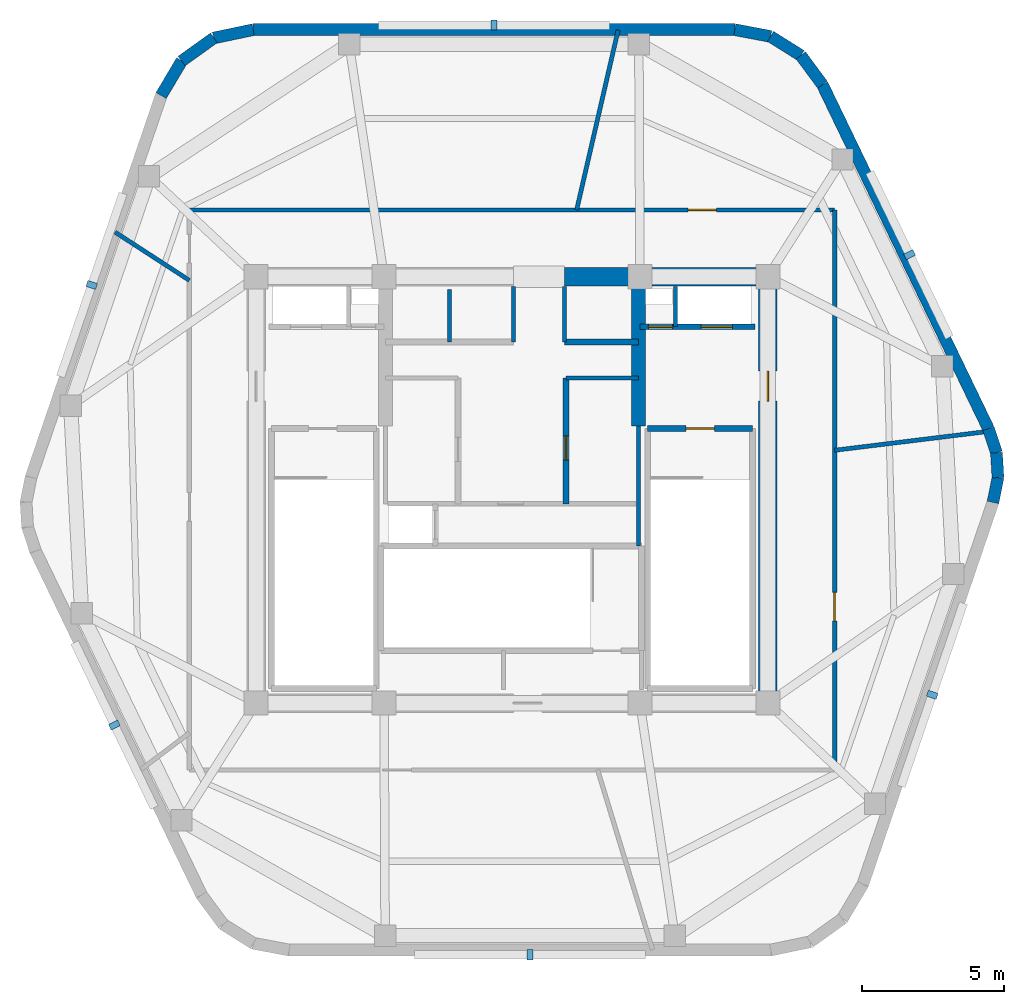
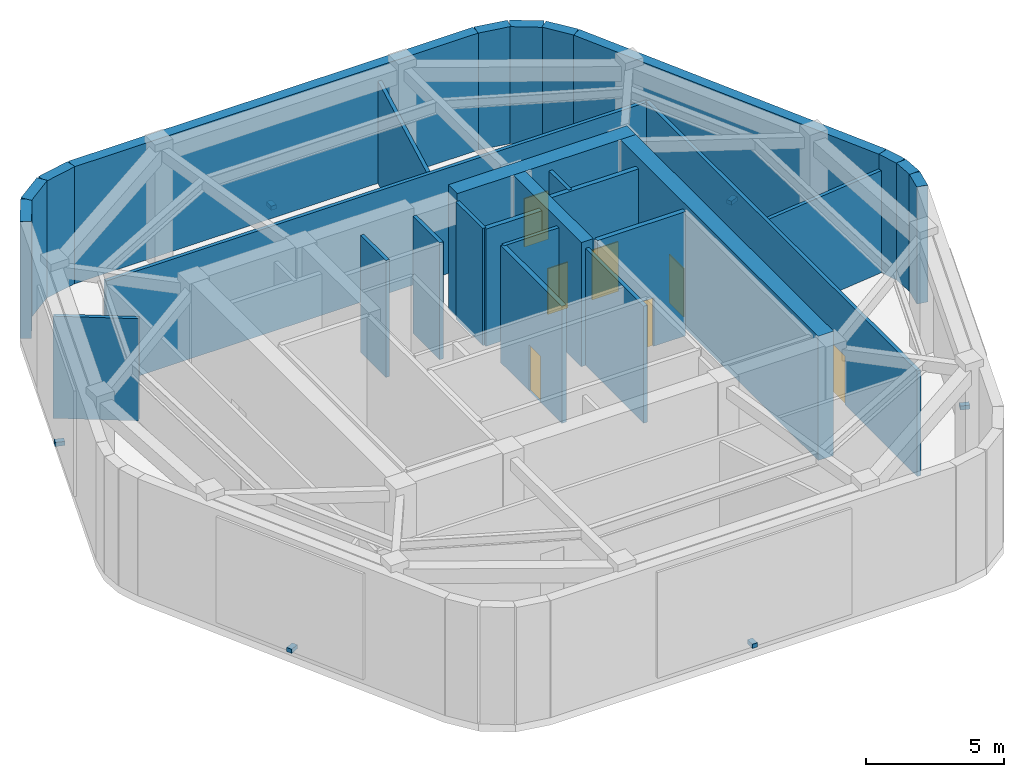
# One storey, part 3 of 4: 29 walls, 7 doors, 6 discrete accessories, 7 openings.
"""IFC4 building model written with IfcOpenShell, lengths in metres."""

from ifc_helpers import new_model, si_unit, direction, frame, frame_2d, origin, origin_2d, place, context, subcontext, project, spatial, rectangle, extrude, material, layer, layer_set, type_object, element, fill, save


model = new_model("IFC4")

# Units and contexts
model_context = context("Model", 3, precision=1e-05, world=origin(), true_north=direction((0.0, 1.0)))
body_context = subcontext(model_context, "Body", "Model", "MODEL_VIEW")
ifc_project = project(units=[si_unit("LENGTHUNIT", "METRE"), si_unit("AREAUNIT", "SQUARE_METRE"), si_unit("VOLUMEUNIT", "CUBIC_METRE"), si_unit("PLANEANGLEUNIT", "RADIAN"), si_unit("MASSUNIT", "GRAM", prefix="KILO")], contexts=[model_context])

# Site, building, storey
site_placement = place(None, origin())
site = spatial("IfcSite", under=ifc_project, at=site_placement, CompositionType="ELEMENT")
building_placement = place(site_placement, origin())
building = spatial("IfcBuilding", under=site, at=building_placement, Name="Kilnhurst Terrace Hotel", CompositionType="ELEMENT")
storey_placement = place(building_placement, frame((0.0, 0.0, 315.89990234375)))
storey = spatial("IfcBuildingStorey", under=building, at=storey_placement, Name="L78", CompositionType="ELEMENT", Elevation=315.89990234375)

# Wall, opening, door
ifc_material_1 = material(Name="Acoustic Double-Gypsum Corridor Partition Assembly")
ifc_layer_1 = layer(ifc_material_1, 0.14990234375, Name="Acoustic Double-Gypsum Corridor Partition Assembly")
ifc_layer_set_1 = layer_set([ifc_layer_1], Name="Acoustic Double-Gypsum Corridor Partition Assembly")
wall_type_1 = type_object("IfcWallType", Name="WL-COR-150", PredefinedType="PARTITIONING", material=ifc_layer_set_1)
wall_1_placement = place(storey_placement, frame((-11.35009765625, 9.85009765625, 0.0), z_axis=(0.0, 0.0, 1.0), x_axis=(1.0, 0.0, 0.0)))
wall_1 = element("IfcWall", 1, at=wall_1_placement, inside=storey, type_object=wall_type_1, Name="L78 Interior Wall WL-L78-COR-02", PredefinedType="PARTITIONING", context=body_context, shape_type="SweptSolid", body=[
    extrude(rectangle(XDim=22.7001953125, YDim=0.14990234375, at=frame_2d((11.35009765625, 0.0))), origin(), (0.0, 0.0, 1.0), 4.670166015625),
])
opening_1_placement = place(wall_1_placement, frame((17.5419921875, 0.0, 0.0)))
opening_1 = element("IfcOpeningElement", 2, at=opening_1_placement, cuts=wall_1, Name="Opening D-90B", PredefinedType="OPENING", context=body_context, shape_type="SweptSolid", body=[
    extrude(rectangle(XDim=1.0, YDim=2.14990234375, at=frame_2d((0.5, 1.074951171875))), frame((0.0, 0.0849609375, 0.0), z_axis=(0.0, -1.0, 0.0), x_axis=(1.0, 0.0, 0.0)), (0.0, 0.0, 1.0), 0.169921875),
])
ifc_material_2 = material(Name="Painted Hollow Metal Steel ASTM A36 Fire Door", Category="steel")
door_type_1 = type_object("IfcDoorType", Name="DR-FD90-1000", OperationType="NOTDEFINED", PredefinedType="DOOR", material=ifc_material_2)
door_1_placement = place(opening_1_placement, origin())
door_1 = element("IfcDoor", 3, at=door_1_placement, inside=storey, type_object=door_type_1, Name="L78 Chiller and Cooling Heat Exchanger Plant Room Door", OperationType="SINGLE_SWING_LEFT", OverallHeight=2.14990234375, OverallWidth=1.0, PredefinedType="DOOR", context=body_context, shape_type="SweptSolid", body=[
    extrude(rectangle(XDim=1.0, YDim=2.14990234375, at=frame_2d((0.5, 1.074951171875))), frame((0.0, 0.02490234375, 0.0), z_axis=(0.0, -1.0, 0.0), x_axis=(1.0, 0.0, 0.0)), (0.0, 0.0, 1.0), 0.050048828125),
])
fill(opening_1, door_1)

wall_2_placement = place(storey_placement, frame((11.35009765625, 9.85009765625, 0.0), z_axis=(0.0, 0.0, 1.0), x_axis=(0.0, -1.0, 0.0)))
wall_2 = element("IfcWall", 4, at=wall_2_placement, inside=storey, type_object=wall_type_1, Name="L78 Interior Wall WL-L78-COR-03", PredefinedType="PARTITIONING", context=body_context, shape_type="SweptSolid", body=[
    extrude(rectangle(XDim=19.7001953125, YDim=0.14990234375, at=frame_2d((9.85009765625, 0.0))), origin(), (0.0, 0.0, 1.0), 4.670166015625),
])
opening_2_placement = place(wall_2_placement, frame((13.45703125, 0.0, 0.0)))
opening_2 = element("IfcOpeningElement", 5, at=opening_2_placement, cuts=wall_2, Name="Opening D-90B", PredefinedType="OPENING", context=body_context, shape_type="SweptSolid", body=[
    extrude(rectangle(XDim=1.0, YDim=2.14990234375, at=frame_2d((0.5, 1.074951171875))), frame((0.0, 0.0849609375, 0.0), z_axis=(0.0, -1.0, 0.0), x_axis=(1.0, 0.0, 0.0)), (0.0, 0.0, 1.0), 0.169921875),
])
door_2_placement = place(opening_2_placement, origin())
door_2 = element("IfcDoor", 6, at=door_2_placement, inside=storey, type_object=door_type_1, Name="L78 Building Automation and Telecom Plant Room Door", OperationType="SINGLE_SWING_LEFT", OverallHeight=2.14990234375, OverallWidth=1.0, PredefinedType="DOOR", context=body_context, shape_type="SweptSolid", body=[
    extrude(rectangle(XDim=1.0, YDim=2.14990234375, at=frame_2d((0.5, 1.074951171875))), frame((0.0, 0.02490234375, 0.0), z_axis=(0.0, -1.0, 0.0), x_axis=(1.0, 0.0, 0.0)), (0.0, 0.0, 1.0), 0.050048828125),
])
fill(opening_2, door_2)

# Walls
wall_3_placement = place(storey_placement, frame((11.35009765625, 1.3935546875, 0.0), z_axis=(0.0, 0.0, 1.0), x_axis=(0.992546571341, 0.121865925179, 0.0)))
element("IfcWall", 7, at=wall_3_placement, inside=storey, type_object=wall_type_1, Name="L78 Interior Wall WL-L78-PDIV-1-1", PredefinedType="PARTITIONING", context=body_context, shape_type="SweptSolid", body=[
    extrude(rectangle(XDim=5.32080078125, YDim=0.14990234375, at=frame_2d((2.660400390625, 0.0))), origin(), (0.0, 0.0, 1.0), 4.52001953125),
])
wall_4_placement = place(storey_placement, frame((2.274169921875, 9.85009765625, 0.0), z_axis=(0.0, 0.0, 1.0), x_axis=(0.224947404091, 0.974370907505, 0.0)))
element("IfcWall", 8, at=wall_4_placement, inside=storey, type_object=wall_type_1, Name="L78 Interior Wall WL-L78-PDIV-2-1", PredefinedType="PARTITIONING", context=body_context, shape_type="SweptSolid", body=[
    extrude(rectangle(XDim=6.4912109375, YDim=0.14990234375, at=frame_2d((3.24560546875, 0.0))), origin(), (0.0, 0.0, 1.0), 4.52001953125),
])
wall_5_placement = place(storey_placement, frame((-11.35009765625, 7.370849609375, 0.0), z_axis=(0.0, 0.0, 1.0), x_axis=(-0.83868866546, 0.544611166272, 0.0)))
element("IfcWall", 9, at=wall_5_placement, inside=storey, type_object=wall_type_1, Name="L78 Interior Wall WL-L78-PDIV-3-1", PredefinedType="PARTITIONING", context=body_context, shape_type="SweptSolid", body=[
    extrude(rectangle(XDim=3.117431640625, YDim=0.14990234375, at=frame_2d((1.55859375, 0.0))), origin(), (0.0, 0.0, 1.0), 4.52001953125),
])
ifc_material_3 = material(Name="Concrete C60/75", Category="concrete")
ifc_layer_2 = layer(ifc_material_3, 0.64990234375, Name="Concrete C60/75")
ifc_layer_set_2 = layer_set([ifc_layer_2], Name="Concrete C60/75")
wall_type_2 = type_object("IfcWallType", Name="WL-CORE-650", PredefinedType="SHEAR", material=ifc_layer_set_2)
wall_6_placement = place(storey_placement, frame((1.85009765625, 7.5, 0.0), z_axis=(0.0, 0.0, 1.0), x_axis=(1.0, 0.0, 0.0)))
element("IfcWall", 10, at=wall_6_placement, inside=storey, type_object=wall_type_2, Name="L78 Core North East Shear Wall", PredefinedType="SHEAR", context=body_context, shape_type="SweptSolid", body=[
    extrude(rectangle(XDim=7.474853515625, YDim=0.64990234375, at=frame_2d((3.7373046875, 0.0))), origin(), (0.0, 0.0, 1.0), 5.5),
])

# Wall, opening, door
wall_7_placement = place(storey_placement, frame((9.0, -7.175048828125, 0.0), z_axis=(0.0, 0.0, 1.0), x_axis=(0.0, 1.0, 0.0)))
wall_7 = element("IfcWall", 11, at=wall_7_placement, inside=storey, type_object=wall_type_2, Name="L78 Core East Shear Wall", PredefinedType="SHEAR", context=body_context, shape_type="SweptSolid", body=[
    extrude(rectangle(XDim=14.35009765625, YDim=0.64990234375, at=frame_2d((7.175048828125, 0.0))), origin(), (0.0, 0.0, 1.0), 5.5),
])
opening_3_placement = place(wall_7_placement, frame((10.300048828125, 0.0, 0.0)))
opening_3 = element("IfcOpeningElement", 12, at=opening_3_placement, cuts=wall_7, Name="Opening D-90A", PredefinedType="OPENING", context=body_context, shape_type="SweptSolid", body=[
    extrude(rectangle(XDim=1.050048828125, YDim=2.14990234375, at=frame_2d((0.52490234375, 1.074951171875))), frame((0.0, 0.3349609375, 0.0), z_axis=(0.0, -1.0, 0.0), x_axis=(1.0, 0.0, 0.0)), (0.0, 0.0, 1.0), 0.669921875),
])
door_type_2 = type_object("IfcDoorType", Name="DR-FD90-1050", OperationType="NOTDEFINED", PredefinedType="DOOR", material=ifc_material_2)
door_3_placement = place(opening_3_placement, origin())
door_3 = element("IfcDoor", 13, at=door_3_placement, inside=storey, type_object=door_type_2, Name="L78 East Firefighting Lobby Door", OperationType="SINGLE_SWING_LEFT", OverallHeight=2.14990234375, OverallWidth=1.050048828125, PredefinedType="DOOR", context=body_context, shape_type="SweptSolid", body=[
    extrude(rectangle(XDim=1.050048828125, YDim=2.14990234375, at=frame_2d((0.52490234375, 1.074951171875))), frame((0.0, 0.02490234375, 0.0), z_axis=(0.0, -1.0, 0.0), x_axis=(1.0, 0.0, 0.0)), (0.0, 0.0, 1.0), 0.050048828125),
])
fill(opening_3, door_3)

# Walls
ifc_layer_3 = layer(ifc_material_3, 0.5, Name="Concrete C60/75")
ifc_layer_set_3 = layer_set([ifc_layer_3], Name="Concrete C60/75")
wall_type_3 = type_object("IfcWallType", Name="WL-CORE-WEB-500", PredefinedType="SHEAR", material=ifc_layer_set_3)
wall_8_placement = place(storey_placement, frame((4.449951171875, 2.25, 0.0), z_axis=(0.0, 0.0, 1.0), x_axis=(0.0, 1.0, 0.0)))
element("IfcWall", 14, at=wall_8_placement, inside=storey, type_object=wall_type_3, Name="L78 Core Internal East Shear Web", PredefinedType="SHEAR", context=body_context, shape_type="SweptSolid", body=[
    extrude(rectangle(XDim=4.925048828125, YDim=0.5, at=frame_2d((2.46240234375, 0.0))), origin(), (0.0, 0.0, 1.0), 5.5),
])
ifc_material_4 = material(Name="Precast concrete C40/50", Category="concrete")
ifc_layer_4 = layer(ifc_material_4, 0.419921875, Name="Precast concrete C40/50")
ifc_layer_set_4 = layer_set([ifc_layer_4], Name="Precast concrete C40/50")
wall_type_4 = type_object("IfcWallType", Name="WL-CRN-420", PredefinedType="SOLIDWALL", material=ifc_layer_set_4)
wall_9_placement = place(storey_placement, frame((16.9208984375, -0.440185546875, 0.0), z_axis=(0.0, 0.0, 1.0), x_axis=(0.197170749138, 0.980369162961, 0.0)))
element("IfcWall", 15, at=wall_9_placement, inside=storey, type_object=wall_type_4, Name="L78 Rounded Corner Brick Wall C3.1", PredefinedType="SOLIDWALL", context=body_context, shape_type="SweptSolid", body=[
    extrude(rectangle(XDim=0.890380859375, YDim=0.419921875, at=frame_2d((0.4453125, 0.0))), origin(), (0.0, 0.0, 1.0), 5.18017578125),
])
wall_10_placement = place(storey_placement, frame((17.096435546875, 0.4326171875, 0.0), z_axis=(0.0, 0.0, 1.0), x_axis=(-0.060469820114, 0.998170026025, 0.0)))
element("IfcWall", 16, at=wall_10_placement, inside=storey, type_object=wall_type_4, Name="L78 Rounded Corner Brick Wall C3.2", PredefinedType="SOLIDWALL", context=body_context, shape_type="SweptSolid", body=[
    extrude(rectangle(XDim=0.876220703125, YDim=0.419921875, at=frame_2d((0.43798828125, 0.0))), origin(), (0.0, 0.0, 1.0), 5.18017578125),
])
wall_11_placement = place(storey_placement, frame((17.04345703125, 1.30712890625, 0.0), z_axis=(0.0, 0.0, 1.0), x_axis=(-0.314581701602, 0.949230400386, 0.0)))
element("IfcWall", 17, at=wall_11_placement, inside=storey, type_object=wall_type_4, Name="L78 Rounded Corner Brick Wall C3.3", PredefinedType="SOLIDWALL", context=body_context, shape_type="SweptSolid", body=[
    extrude(rectangle(XDim=0.89013671875, YDim=0.419921875, at=frame_2d((0.445068359375, 0.0))), origin(), (0.0, 0.0, 1.0), 5.18017578125),
])
wall_12_placement = place(storey_placement, frame((10.921630859375, 14.255859375, 0.0), z_axis=(0.0, 0.0, 1.0), x_axis=(-0.594423284796, 0.804152322941, 0.0)))
element("IfcWall", 18, at=wall_12_placement, inside=storey, type_object=wall_type_4, Name="L78 Rounded Corner Brick Wall C4.1", PredefinedType="SOLIDWALL", context=body_context, shape_type="SweptSolid", body=[
    extrude(rectangle(XDim=1.278076171875, YDim=0.419921875, at=frame_2d((0.63916015625, 0.0))), origin(), (0.0, 0.0, 1.0), 5.18017578125),
])
wall_13_placement = place(storey_placement, frame((10.161865234375, 15.28369140625, 0.0), z_axis=(0.0, 0.0, 1.0), x_axis=(-0.846993641169, 0.53160302089, 0.0)))
element("IfcWall", 19, at=wall_13_placement, inside=storey, type_object=wall_type_4, Name="L78 Rounded Corner Brick Wall C4.2", PredefinedType="SOLIDWALL", context=body_context, shape_type="SweptSolid", body=[
    extrude(rectangle(XDim=1.2578125, YDim=0.419921875, at=frame_2d((0.62890625, 0.0))), origin(), (0.0, 0.0, 1.0), 5.18017578125),
])
wall_14_placement = place(storey_placement, frame((9.096435546875, 15.952392578125, 0.0), z_axis=(0.0, 0.0, 1.0), x_axis=(-0.982583442004, 0.185821902637, 0.0)))
element("IfcWall", 20, at=wall_14_placement, inside=storey, type_object=wall_type_4, Name="L78 Rounded Corner Brick Wall C4.3", PredefinedType="SOLIDWALL", context=body_context, shape_type="SweptSolid", body=[
    extrude(rectangle(XDim=1.2783203125, YDim=0.419921875, at=frame_2d((0.63916015625, 0.0))), origin(), (0.0, 0.0, 1.0), 5.18017578125),
])
wall_15_placement = place(storey_placement, frame((-9.105712890625, 16.18994140625, 0.0), z_axis=(0.0, 0.0, 1.0), x_axis=(-0.978670507127, -0.205436215114, 0.0)))
element("IfcWall", 21, at=wall_15_placement, inside=storey, type_object=wall_type_4, Name="L78 Rounded Corner Brick Wall C5.1", PredefinedType="SOLIDWALL", context=body_context, shape_type="SweptSolid", body=[
    extrude(rectangle(XDim=1.414306640625, YDim=0.419921875, at=frame_2d((0.70703125, 0.0))), origin(), (0.0, 0.0, 1.0), 5.18017578125),
])
wall_16_placement = place(storey_placement, frame((-10.48974609375, 15.8994140625, 0.0), z_axis=(0.0, 0.0, 1.0), x_axis=(-0.813104912719, -0.58211717112, 0.0)))
element("IfcWall", 22, at=wall_16_placement, inside=storey, type_object=wall_type_4, Name="L78 Rounded Corner Brick Wall C5.2", PredefinedType="SOLIDWALL", context=body_context, shape_type="SweptSolid", body=[
    extrude(rectangle(XDim=1.39208984375, YDim=0.419921875, at=frame_2d((0.696044921875, 0.0))), origin(), (0.0, 0.0, 1.0), 5.18017578125),
])
wall_17_placement = place(storey_placement, frame((-11.62158203125, 15.089111328125, 0.0), z_axis=(0.0, 0.0, 1.0), x_axis=(-0.510403153597, -0.859935242212, 0.0)))
element("IfcWall", 23, at=wall_17_placement, inside=storey, type_object=wall_type_4, Name="L78 Rounded Corner Brick Wall C5.3", PredefinedType="SOLIDWALL", context=body_context, shape_type="SweptSolid", body=[
    extrude(rectangle(XDim=1.414306640625, YDim=0.419921875, at=frame_2d((0.70703125, 0.0))), origin(), (0.0, 0.0, 1.0), 5.18017578125),
])
wall_18_placement = place(storey_placement, frame((16.763427734375, 2.152099609375, 0.0), z_axis=(0.0, 0.0, 1.0), x_axis=(-0.434664735238, 0.900592342817, 0.0)))
element("IfcWall", 24, at=wall_18_placement, inside=storey, type_object=wall_type_4, Name="L78 Exterior Brick Facade Wall F3", PredefinedType="SOLIDWALL", context=body_context, shape_type="SweptSolid", body=[
    extrude(rectangle(XDim=13.439697265625, YDim=0.419921875, at=frame_2d((6.7197265625, 0.0))), origin(), (0.0, 0.0, 1.0), 5.18017578125),
])
wall_19_placement = place(storey_placement, frame((7.84033203125, 16.18994140625, 0.0), z_axis=(0.0, 0.0, 1.0), x_axis=(-1.0, 0.0, 0.0)))
element("IfcWall", 25, at=wall_19_placement, inside=storey, type_object=wall_type_4, Name="L78 Exterior Brick Facade Wall F4", PredefinedType="SOLIDWALL", context=body_context, shape_type="SweptSolid", body=[
    extrude(rectangle(XDim=16.946044921875, YDim=0.419921875, at=frame_2d((8.47314453125, 0.0))), origin(), (0.0, 0.0, 1.0), 5.18017578125),
])
ifc_material_5 = material(Name="Fire-Rated Gypsum Shaftliner Assembly")
ifc_layer_5 = layer(ifc_material_5, 0.14990234375, Name="Fire-Rated Gypsum Shaftliner Assembly")
ifc_layer_set_5 = layer_set([ifc_layer_5], Name="Fire-Rated Gypsum Shaftliner Assembly")
wall_type_5 = type_object("IfcWallType", Name="WL-SHAFT-150", PredefinedType="PARTITIONING", material=ifc_layer_set_5)
wall_20_placement = place(storey_placement, frame((5.75, 5.739990234375, 0.0), z_axis=(0.0, 0.0, 1.0), x_axis=(0.0, 1.0, 0.0)))
element("IfcWall", 26, at=wall_20_placement, inside=storey, type_object=wall_type_5, Name="L78 Interior Wall WL-L78-RIS2-DIV", PredefinedType="PARTITIONING", context=body_context, shape_type="SweptSolid", body=[
    extrude(rectangle(XDim=1.409912109375, YDim=0.14990234375, at=frame_2d((0.705078125, 0.0))), origin(), (0.0, 0.0, 1.0), 5.18017578125),
])
wall_21_placement = place(storey_placement, frame((-2.199951171875, 5.199951171875, 0.0), z_axis=(0.0, 0.0, 1.0), x_axis=(0.0, 1.0, 0.0)))
element("IfcWall", 27, at=wall_21_placement, inside=storey, type_object=wall_type_5, Name="L78 Interior Wall WL-L78-HR-DIV1", PredefinedType="PARTITIONING", context=body_context, shape_type="SweptSolid", body=[
    extrude(rectangle(XDim=1.85009765625, YDim=0.14990234375, at=frame_2d((0.925048828125, 0.0))), origin(), (0.0, 0.0, 1.0), 5.18017578125),
])
for number, where, z_axis, x_axis, name in (
    (28, (0.050048828125, 5.199951171875, 0.0), (0.0, 0.0, 1.0), (0.0, 1.0, 0.0), "L78 Interior Wall WL-L78-HR-PORTAL-W"),
    (29, (1.85009765625, 5.199951171875, 0.0), (0.0, 0.0, 1.0), (0.0, 1.0, 0.0), "L78 Interior Wall WL-L78-HR-PORTAL-E"),
):
    element("IfcWall", number, at=place(storey_placement, frame(where, z_axis=z_axis, x_axis=x_axis)), inside=storey, type_object=wall_type_5, Name=name, PredefinedType="PARTITIONING", context=body_context, shape_type="SweptSolid", body=[
        extrude(rectangle(XDim=1.949951171875, YDim=0.14990234375, at=frame_2d((0.97509765625, 0.0))), origin(), (0.0, 0.0, 1.0), 5.18017578125),
    ])
wall_22_placement = place(storey_placement, frame((4.449951171875, -1.971923828125, 0.0), z_axis=(0.0, 0.0, 1.0), x_axis=(0.0, 1.0, 0.0)))
element("IfcWall", 30, at=wall_22_placement, inside=storey, type_object=wall_type_5, Name="L78 Interior Wall WL-L78-XLOB-E", PredefinedType="PARTITIONING", context=body_context, shape_type="SweptSolid", body=[
    extrude(rectangle(XDim=4.221923828125, YDim=0.14990234375, at=frame_2d((2.11083984375, 0.0))), origin(), (0.0, 0.0, 1.0), 5.18017578125),
])
wall_23_placement = place(storey_placement, frame((1.89990234375, 3.93994140625, 0.0), z_axis=(0.0, 0.0, 1.0), x_axis=(1.0, 0.0, 0.0)))
element("IfcWall", 31, at=wall_23_placement, inside=storey, type_object=wall_type_5, Name="L78 Interior Wall WL-L78-MR-NORTH", PredefinedType="PARTITIONING", context=body_context, shape_type="SweptSolid", body=[
    extrude(rectangle(XDim=2.550048828125, YDim=0.14990234375, at=frame_2d((1.27490234375, 0.0))), origin(), (0.0, 0.0, 1.0), 5.18017578125),
])

# Wall, openings, doors
ifc_material_6 = material(Name="Autoclaved Aerated Concrete C30/37 and Gypsum Shaft Assembly", Category="concrete")
ifc_layer_6 = layer(ifc_material_6, 0.199951171875, Name="Autoclaved Aerated Concrete C30/37 and Gypsum Shaft Assembly")
ifc_layer_set_6 = layer_set([ifc_layer_6], Name="Autoclaved Aerated Concrete C30/37 and Gypsum Shaft Assembly")
wall_type_6 = type_object("IfcWallType", Name="WL-SHAFT-200", PredefinedType="PARTITIONING", material=ifc_layer_set_6)
wall_24_placement = place(storey_placement, frame((4.5, 5.739990234375, 0.0), z_axis=(0.0, 0.0, 1.0), x_axis=(1.0, 0.0, 0.0)))
wall_24 = element("IfcWall", 32, at=wall_24_placement, inside=storey, type_object=wall_type_6, Name="L78 Interior Wall WL-L78-FSAE2-S", PredefinedType="PARTITIONING", context=body_context, shape_type="SweptSolid", body=[
    extrude(rectangle(XDim=4.050048828125, YDim=0.199951171875, at=frame_2d((2.02490234375, 0.0))), origin(), (0.0, 0.0, 1.0), 5.18017578125),
])
opening_4_placement = place(wall_24_placement, frame((0.300048828125, 0.0, 0.0)))
opening_4 = element("IfcOpeningElement", 33, at=opening_4_placement, cuts=wall_24, Name="Opening D-60D", PredefinedType="OPENING", context=body_context, shape_type="SweptSolid", body=[
    extrude(rectangle(XDim=0.85009765625, YDim=2.030029296875, at=frame_2d((0.425048828125, 1.01513671875))), frame((0.0, 0.10986328125, 0.0), z_axis=(0.0, -1.0, 0.0), x_axis=(1.0, 0.0, 0.0)), (0.0, 0.0, 1.0), 0.219970703125),
])
opening_5_placement = place(wall_24_placement, frame((2.14990234375, 0.0, 0.0)))
opening_5 = element("IfcOpeningElement", 34, at=opening_5_placement, cuts=wall_24, Name="Opening LD-F2", PredefinedType="OPENING", context=body_context, shape_type="SweptSolid", body=[
    extrude(rectangle(XDim=1.10009765625, YDim=2.199951171875, at=frame_2d((0.550048828125, 1.10009765625))), frame((0.0, 0.10986328125, 0.0), z_axis=(0.0, -1.0, 0.0), x_axis=(1.0, 0.0, 0.0)), (0.0, 0.0, 1.0), 0.219970703125),
])
ifc_material_7 = material(Name="Painted Hollow Metal Steel ASTM A36 Riser Door", Category="steel")
door_type_3 = type_object("IfcDoorType", Name="DR-FD60-850", OperationType="NOTDEFINED", PredefinedType="DOOR", material=ifc_material_7)
door_4_placement = place(opening_4_placement, origin())
door_4 = element("IfcDoor", 35, at=door_4_placement, inside=storey, type_object=door_type_3, Name="L78 Telecom Riser Door", OperationType="SINGLE_SWING_RIGHT", OverallHeight=2.030029296875, OverallWidth=0.85009765625, PredefinedType="DOOR", context=body_context, shape_type="SweptSolid", body=[
    extrude(rectangle(XDim=0.85009765625, YDim=2.030029296875, at=frame_2d((0.425048828125, 1.01513671875))), frame((0.0, 0.02490234375, 0.0), z_axis=(0.0, -1.0, 0.0), x_axis=(1.0, 0.0, 0.0)), (0.0, 0.0, 1.0), 0.050048828125),
])
fill(opening_4, door_4)
ifc_material_8 = material(Name="Bronze-Anodized Stainless Steel AISI 316L Sliding Door", Category="steel")
door_type_4 = type_object("IfcDoorType", Name="DR-LIFT-1100", OperationType="NOTDEFINED", PredefinedType="DOOR", material=ifc_material_8)
door_5_placement = place(opening_5_placement, origin())
door_5 = element("IfcDoor", 36, at=door_5_placement, inside=storey, type_object=door_type_4, Name="L78 FSAE-2 Landing Door", OperationType="SLIDING_TO_RIGHT", OverallHeight=2.199951171875, OverallWidth=1.10009765625, PredefinedType="DOOR", context=body_context, shape_type="SweptSolid", body=[
    extrude(rectangle(XDim=1.10009765625, YDim=2.199951171875, at=frame_2d((0.550048828125, 1.10009765625))), frame((0.0, 0.02490234375, 0.0), z_axis=(0.0, -1.0, 0.0), x_axis=(1.0, 0.0, 0.0)), (0.0, 0.0, 1.0), 0.050048828125),
])
fill(opening_5, door_5)

# Wall
wall_25_placement = place(storey_placement, frame((1.85009765625, 5.199951171875, 0.0), z_axis=(0.0, 0.0, 1.0), x_axis=(1.0, 0.0, 0.0)))
element("IfcWall", 37, at=wall_25_placement, inside=storey, type_object=wall_type_6, Name="L78 Interior Wall WL-L78-HR-SE", PredefinedType="PARTITIONING", context=body_context, shape_type="SweptSolid", body=[
    extrude(rectangle(XDim=2.599853515625, YDim=0.199951171875, at=frame_2d((1.2998046875, 0.0))), origin(), (0.0, 0.0, 1.0), 5.18017578125),
])

# Wall, opening, door
wall_26_placement = place(storey_placement, frame((1.89990234375, -0.5, 0.0), z_axis=(0.0, 0.0, 1.0), x_axis=(0.0, 1.0, 0.0)))
wall_26 = element("IfcWall", 38, at=wall_26_placement, inside=storey, type_object=wall_type_6, Name="L78 Interior Wall WL-L78-MR-FRONT", PredefinedType="PARTITIONING", context=body_context, shape_type="SweptSolid", body=[
    extrude(rectangle(XDim=4.43994140625, YDim=0.199951171875, at=frame_2d((2.219970703125, 0.0))), origin(), (0.0, 0.0, 1.0), 5.18017578125),
])
opening_6_placement = place(wall_26_placement, frame((1.550048828125, 0.0, 0.0)))
opening_6 = element("IfcOpeningElement", 39, at=opening_6_placement, cuts=wall_26, Name="Opening D-60D", PredefinedType="OPENING", context=body_context, shape_type="SweptSolid", body=[
    extrude(rectangle(XDim=0.85009765625, YDim=2.030029296875, at=frame_2d((0.425048828125, 1.01513671875))), frame((0.0, 0.10986328125, 0.0), z_axis=(0.0, -1.0, 0.0), x_axis=(1.0, 0.0, 0.0)), (0.0, 0.0, 1.0), 0.219970703125),
])
door_6_placement = place(opening_6_placement, origin())
door_6 = element("IfcDoor", 40, at=door_6_placement, inside=storey, type_object=door_type_3, Name="L78 Staff Accessible Restroom Door", OperationType="SINGLE_SWING_RIGHT", OverallHeight=2.030029296875, OverallWidth=0.85009765625, PredefinedType="DOOR", context=body_context, shape_type="SweptSolid", body=[
    extrude(rectangle(XDim=0.85009765625, YDim=2.030029296875, at=frame_2d((0.425048828125, 1.01513671875))), frame((0.0, 0.02490234375, 0.0), z_axis=(0.0, -1.0, 0.0), x_axis=(1.0, 0.0, 0.0)), (0.0, 0.0, 1.0), 0.050048828125),
])
fill(opening_6, door_6)

ifc_material_9 = material(Name="Concrete C50/60", Category="concrete")
ifc_layer_7 = layer(ifc_material_9, 0.199951171875, Name="Concrete C50/60")
ifc_layer_set_7 = layer_set([ifc_layer_7], Name="Concrete C50/60")
wall_type_7 = type_object("IfcWallType", Name="WL-STAIR-RC-200", PredefinedType="SHEAR", material=ifc_layer_set_7)
wall_27_placement = place(storey_placement, frame((4.77197265625, 2.157958984375, 0.0), z_axis=(0.0, 0.0, 1.0), x_axis=(1.0, 0.0, 0.0)))
wall_27 = element("IfcWall", 41, at=wall_27_placement, inside=storey, type_object=wall_type_7, Name="L78 Structural Stair Shaft Wall WL-L78-ST2-N", PredefinedType="SHEAR", context=body_context, shape_type="SweptSolid", body=[
    extrude(rectangle(XDim=3.68603515625, YDim=0.199951171875, at=frame_2d((1.843017578125, 0.0))), origin(), (0.0, 0.0, 1.0), 5.5),
])
opening_7_placement = place(wall_27_placement, frame((1.35009765625, 0.0, 0.0)))
opening_7 = element("IfcOpeningElement", 42, at=opening_7_placement, cuts=wall_27, Name="Opening D-90B", PredefinedType="OPENING", context=body_context, shape_type="SweptSolid", body=[
    extrude(rectangle(XDim=1.0, YDim=2.14990234375, at=frame_2d((0.5, 1.074951171875))), frame((0.0, 0.10986328125, 0.0), z_axis=(0.0, -1.0, 0.0), x_axis=(1.0, 0.0, 0.0)), (0.0, 0.0, 1.0), 0.219970703125),
])
door_7_placement = place(opening_7_placement, origin())
door_7 = element("IfcDoor", 43, at=door_7_placement, inside=storey, type_object=door_type_1, Name="L78 Stair ST-2 Door", OperationType="SINGLE_SWING_RIGHT", OverallHeight=2.14990234375, OverallWidth=1.0, PredefinedType="DOOR", context=body_context, shape_type="SweptSolid", body=[
    extrude(rectangle(XDim=1.0, YDim=2.14990234375, at=frame_2d((0.5, 1.074951171875))), frame((0.0, 0.02490234375, 0.0), z_axis=(0.0, -1.0, 0.0), x_axis=(1.0, 0.0, 0.0)), (0.0, 0.0, 1.0), 0.050048828125),
])
fill(opening_7, door_7)

# Discrete accessories
ifc_material_10 = material(Name="Galvanized Steel ASTM A572 Grade 50", Category="steel")
discrete_accessory_type = type_object("IfcDiscreteAccessoryType", Name="ACC-BRK-STL", PredefinedType="BRACKET", material=ifc_material_10)
for number, where, z_axis, x_axis, name in (
    (44, (0.632568359375, -16.35009765625, 0.2099609375), (0.0, 0.0, 1.0), (1.0, 0.0, 0.0), "L78 Storm Louvre Support Bracket SHD-L78-LVR-F1"),
    (45, (14.783447265625, -7.208251953125, 0.2099609375), (0.0, 0.0, 1.0), (0.322546557531, 0.946553600292, 0.0), "L78 Storm Louvre Support Bracket SHD-L78-LVR-F2"),
    (46, (13.98681640625, 8.273193359375, 0.2099609375), (0.0, 0.0, 1.0), (-0.434665326531, 0.900592057433, 0.0), "L78 Storm Louvre Support Bracket SHD-L78-LVR-F3"),
    (47, (-0.632568359375, 16.35009765625, 0.2099609375), (0.0, 0.0, 1.0), (-1.0, 0.0, 0.0), "L78 Storm Louvre Support Bracket SHD-L78-LVR-F4"),
    (48, (-14.783447265625, 7.208251953125, 0.2099609375), (0.0, 0.0, 1.0), (-0.322546557531, -0.946553600292, 0.0), "L78 Storm Louvre Support Bracket SHD-L78-LVR-F5"),
    (49, (-13.98681640625, -8.273193359375, 0.2099609375), (0.0, 0.0, 1.0), (0.434665326531, -0.900592057433, 0.0), "L78 Storm Louvre Support Bracket SHD-L78-LVR-F6"),
):
    element("IfcDiscreteAccessory", number, at=place(storey_placement, frame(where, z_axis=z_axis, x_axis=x_axis)), inside=storey, type_object=discrete_accessory_type, Name=name, PredefinedType="BRACKET", context=body_context, shape_type="SweptSolid", body=[
        extrude(rectangle(XDim=0.219970703125, YDim=0.360107421875, at=origin_2d()), origin(), (0.0, 0.0, 1.0), 0.179931640625),
    ])

save(model, "model.ifc")
